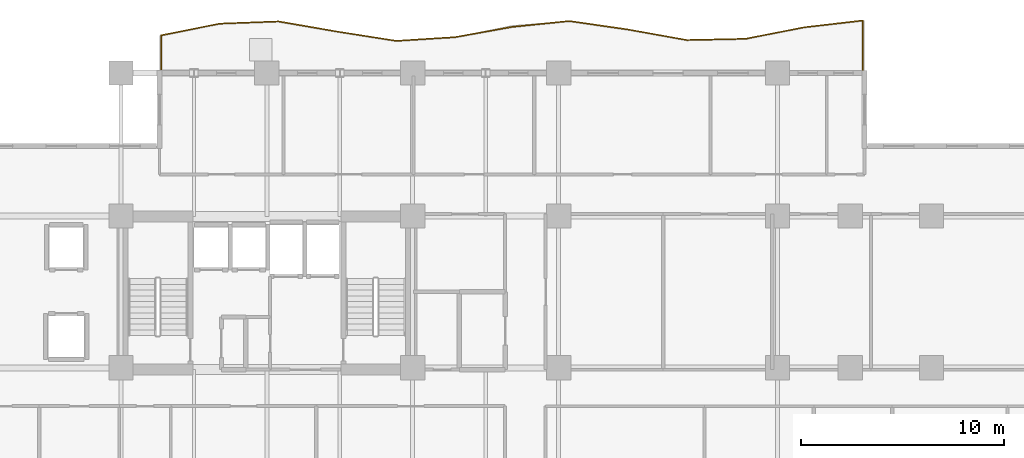
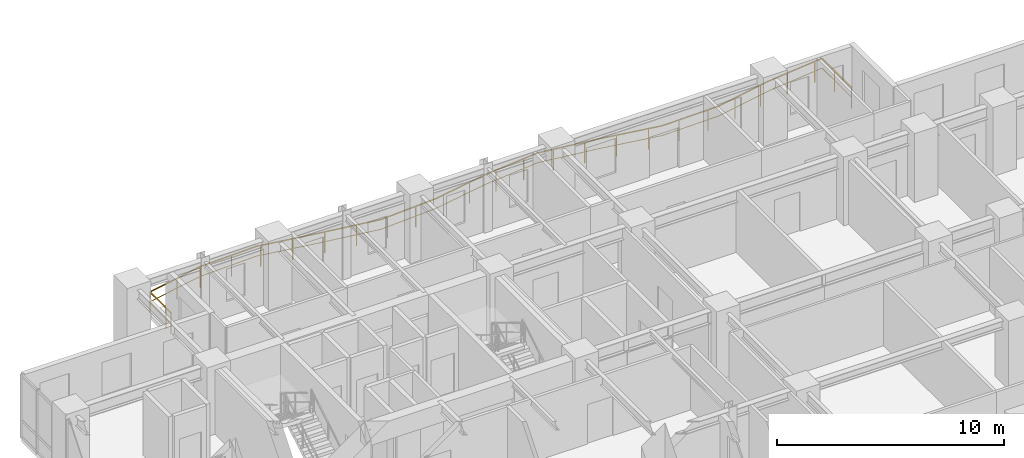
# One storey, part 17 of 17: 1 railing.
"""IFC4 building model written with IfcOpenShell, lengths in metres."""

from ifc_helpers import new_model, si_unit, direction, frame, origin, origin_2d, place, context, subcontext, project, spatial, rectangle, extrude, material, type_object, element, save


model = new_model("IFC4")

# Units and contexts
model_context = context("Model", 3, precision=1e-05, world=origin(), true_north=direction((0.0, 1.0)))
body_context = subcontext(model_context, "Body", "Model", "MODEL_VIEW")
ifc_project = project(units=[si_unit("LENGTHUNIT", "METRE"), si_unit("AREAUNIT", "SQUARE_METRE"), si_unit("VOLUMEUNIT", "CUBIC_METRE"), si_unit("PLANEANGLEUNIT", "RADIAN"), si_unit("MASSUNIT", "GRAM", prefix="KILO")], contexts=[model_context])

# Site, building, storey
site_placement = place(None, origin())
site = spatial("IfcSite", under=ifc_project, at=site_placement, CompositionType="ELEMENT")
building_placement = place(site_placement, origin())
building = spatial("IfcBuilding", under=site, at=building_placement, Name="Kaliganga Portal Commons", CompositionType="ELEMENT")
storey_placement = place(building_placement, frame((0.0, 0.0, 108.199951171875)))
storey = spatial("IfcBuildingStorey", under=building, at=storey_placement, Name="L27", CompositionType="ELEMENT", Elevation=108.199951171875)

# Railing
ifc_material = material(Name="Laminated Safety Glass and Stainless Steel 316", Category="steel")
railing_type = type_object("IfcRailingType", Name="RLG-BAL-1150", PredefinedType="BALUSTRADE", material=ifc_material)
railing_placement = place(storey_placement, frame((51.0205078125, 43.20849609375, 0.0)))
element("IfcRailing", 1, at=railing_placement, inside=storey, type_object=railing_type, Name="Balcony Guardrail L27 balc_north", PredefinedType="BALUSTRADE", context=body_context, shape_type="SweptSolid", body=[
    extrude(rectangle(XDim=0.048095703125, YDim=0.048095703125, at=origin_2d()), frame((0.0, 0.0, 1.1259765625), z_axis=(-0.000188679242, 0.9999999822, 0.0), x_axis=(-0.9999999822, -0.000188679242, 0.0)), (0.0, 0.0, 1.0), 2.587890625),
    extrude(rectangle(XDim=0.028076171875, YDim=0.028076171875, at=origin_2d()), frame((0.0, 0.0, 0.597900390625), z_axis=(-0.000188679242, 0.9999999822, 0.0), x_axis=(-0.9999999822, -0.000188679242, 0.0)), (0.0, 0.0, 1.0), 2.587890625),
    extrude(rectangle(XDim=0.048095703125, YDim=0.048095703125, at=origin_2d()), frame((-0.00048828125, 2.587890625, 1.1259765625), z_axis=(-0.993356824313, -0.115074843429, 0.0), x_axis=(0.115074843429, -0.993356824313, 0.0)), (0.0, 0.0, 1.0), 2.919189453125),
    extrude(rectangle(XDim=0.028076171875, YDim=0.028076171875, at=origin_2d()), frame((-0.00048828125, 2.587890625, 0.597900390625), z_axis=(-0.993356824313, -0.115074843429, 0.0), x_axis=(0.115074843429, -0.993356824313, 0.0)), (0.0, 0.0, 1.0), 2.919189453125),
    extrude(rectangle(XDim=0.048095703125, YDim=0.048095703125, at=origin_2d()), frame((-2.900390625, 2.251953125, 1.1259765625), z_axis=(-0.981301513989, -0.192476852226, 0.0), x_axis=(0.192476852226, -0.981301513989, 0.0)), (0.0, 0.0, 1.0), 2.955322265625),
    extrude(rectangle(XDim=0.028076171875, YDim=0.028076171875, at=origin_2d()), frame((-2.900390625, 2.251953125, 0.597900390625), z_axis=(-0.981301513989, -0.192476852226, 0.0), x_axis=(0.192476852226, -0.981301513989, 0.0)), (0.0, 0.0, 1.0), 2.955322265625),
    extrude(rectangle(XDim=0.048095703125, YDim=0.048095703125, at=origin_2d()), frame((-5.800537109375, 1.68310546875, 1.1259765625), z_axis=(-0.999778578842, -0.021042654042, 0.0), x_axis=(0.021042654042, -0.999778578842, 0.0)), (0.0, 0.0, 1.0), 2.900634765625),
    extrude(rectangle(XDim=0.028076171875, YDim=0.028076171875, at=origin_2d()), frame((-5.800537109375, 1.68310546875, 0.597900390625), z_axis=(-0.999778578842, -0.021042654042, 0.0), x_axis=(0.021042654042, -0.999778578842, 0.0)), (0.0, 0.0, 1.0), 2.900634765625),
    extrude(rectangle(XDim=0.048095703125, YDim=0.048095703125, at=origin_2d()), frame((-8.700439453125, 1.6220703125, 1.1259765625), z_axis=(-0.98412606857, 0.177470789601, 0.0), x_axis=(-0.177470789601, -0.98412606857, 0.0)), (0.0, 0.0, 1.0), 2.94677734375),
    extrude(rectangle(XDim=0.028076171875, YDim=0.028076171875, at=origin_2d()), frame((-8.700439453125, 1.6220703125, 0.597900390625), z_axis=(-0.98412606857, 0.177470789601, 0.0), x_axis=(-0.177470789601, -0.98412606857, 0.0)), (0.0, 0.0, 1.0), 2.94677734375),
    extrude(rectangle(XDim=0.048095703125, YDim=0.048095703125, at=origin_2d()), frame((-11.600341796875, 2.14501953125, 1.1259765625), z_axis=(-0.989896041483, 0.141795017739, 0.0), x_axis=(-0.141795017739, -0.989896041483, 0.0)), (0.0, 0.0, 1.0), 2.927001953125),
    extrude(rectangle(XDim=0.028076171875, YDim=0.028076171875, at=origin_2d()), frame((-11.600341796875, 2.14501953125, 0.597900390625), z_axis=(-0.989896041483, 0.141795017739, 0.0), x_axis=(-0.141795017739, -0.989896041483, 0.0)), (0.0, 0.0, 1.0), 2.927001953125),
    extrude(rectangle(XDim=0.048095703125, YDim=0.048095703125, at=origin_2d()), frame((-14.497802734375, 2.56005859375, 1.1259765625), z_axis=(-0.994806264144, -0.101786525729, 0.0), x_axis=(0.101786525729, -0.994806264144, 0.0)), (0.0, 0.0, 1.0), 2.83740234375),
    extrude(rectangle(XDim=0.028076171875, YDim=0.028076171875, at=origin_2d()), frame((-14.497802734375, 2.56005859375, 0.597900390625), z_axis=(-0.994806264144, -0.101786525729, 0.0), x_axis=(0.101786525729, -0.994806264144, 0.0)), (0.0, 0.0, 1.0), 2.83740234375),
    extrude(rectangle(XDim=0.048095703125, YDim=0.048095703125, at=origin_2d()), frame((-17.320556640625, 2.271240234375, 1.1259765625), z_axis=(-0.98412652958, -0.17746823315, 0.0), x_axis=(0.17746823315, -0.98412652958, 0.0)), (0.0, 0.0, 1.0), 2.865478515625),
    extrude(rectangle(XDim=0.028076171875, YDim=0.028076171875, at=origin_2d()), frame((-17.320556640625, 2.271240234375, 0.597900390625), z_axis=(-0.98412652958, -0.17746823315, 0.0), x_axis=(0.17746823315, -0.98412652958, 0.0)), (0.0, 0.0, 1.0), 2.865478515625),
    extrude(rectangle(XDim=0.048095703125, YDim=0.048095703125, at=origin_2d()), frame((-20.140625, 1.7626953125, 1.1259765625), z_axis=(-0.998059764727, -0.062263199669, 0.0), x_axis=(0.062263199669, -0.998059764727, 0.0)), (0.0, 0.0, 1.0), 2.905517578125),
    extrude(rectangle(XDim=0.028076171875, YDim=0.028076171875, at=origin_2d()), frame((-20.140625, 1.7626953125, 0.597900390625), z_axis=(-0.998059764727, -0.062263199669, 0.0), x_axis=(0.062263199669, -0.998059764727, 0.0)), (0.0, 0.0, 1.0), 2.905517578125),
    extrude(rectangle(XDim=0.048095703125, YDim=0.048095703125, at=origin_2d()), frame((-23.04052734375, 1.581787109375, 1.1259765625), z_axis=(-0.9877818378, 0.155843000845, 0.0), x_axis=(-0.155843000845, -0.9877818378, 0.0)), (0.0, 0.0, 1.0), 2.935791015625),
    extrude(rectangle(XDim=0.028076171875, YDim=0.028076171875, at=origin_2d()), frame((-23.04052734375, 1.581787109375, 0.597900390625), z_axis=(-0.9877818378, 0.155843000845, 0.0), x_axis=(-0.155843000845, -0.9877818378, 0.0)), (0.0, 0.0, 1.0), 2.935791015625),
    extrude(rectangle(XDim=0.048095703125, YDim=0.048095703125, at=origin_2d()), frame((-25.9404296875, 2.039306640625, 1.1259765625), z_axis=(-0.985324763946, 0.170690097997, 0.0), x_axis=(-0.170690097997, -0.985324763946, 0.0)), (0.0, 0.0, 1.0), 2.943603515625),
    extrude(rectangle(XDim=0.028076171875, YDim=0.028076171875, at=origin_2d()), frame((-25.9404296875, 2.039306640625, 0.597900390625), z_axis=(-0.985324763946, 0.170690097997, 0.0), x_axis=(-0.170690097997, -0.985324763946, 0.0)), (0.0, 0.0, 1.0), 2.943603515625),
    extrude(rectangle(XDim=0.048095703125, YDim=0.048095703125, at=origin_2d()), frame((-28.8408203125, 2.541748046875, 1.1259765625), z_axis=(-0.999292645016, -0.037605978475, 0.0), x_axis=(0.037605978475, -0.999292645016, 0.0)), (0.0, 0.0, 1.0), 2.90185546875),
    extrude(rectangle(XDim=0.028076171875, YDim=0.028076171875, at=origin_2d()), frame((-28.8408203125, 2.541748046875, 0.597900390625), z_axis=(-0.999292645016, -0.037605978475, 0.0), x_axis=(0.037605978475, -0.999292645016, 0.0)), (0.0, 0.0, 1.0), 2.90185546875),
    extrude(rectangle(XDim=0.048095703125, YDim=0.048095703125, at=origin_2d()), frame((-31.74072265625, 2.4326171875, 1.1259765625), z_axis=(-0.980621932886, -0.195909736213, 0.0), x_axis=(0.195909736213, -0.980621932886, 0.0)), (0.0, 0.0, 1.0), 2.957275390625),
    extrude(rectangle(XDim=0.028076171875, YDim=0.028076171875, at=origin_2d()), frame((-31.74072265625, 2.4326171875, 0.597900390625), z_axis=(-0.980621932886, -0.195909736213, 0.0), x_axis=(0.195909736213, -0.980621932886, 0.0)), (0.0, 0.0, 1.0), 2.957275390625),
    extrude(rectangle(XDim=0.048095703125, YDim=0.048095703125, at=origin_2d()), frame((-34.640625, 1.853271484375, 1.1259765625), z_axis=(-0.000131734948, -0.999999991323, 0.0), x_axis=(0.999999991323, -0.000131734948, 0.0)), (0.0, 0.0, 1.0), 1.853271484375),
    extrude(rectangle(XDim=0.028076171875, YDim=0.028076171875, at=origin_2d()), frame((-34.640625, 1.853271484375, 0.597900390625), z_axis=(-0.000131734948, -0.999999991323, 0.0), x_axis=(0.999999991323, -0.000131734948, 0.0)), (0.0, 0.0, 1.0), 1.853271484375),
    extrude(rectangle(XDim=0.0419921875, YDim=0.0419921875, at=origin_2d()), origin(), (0.0, 0.0, 1.0), 1.101806640625),
    extrude(rectangle(XDim=0.0419921875, YDim=0.0419921875, at=origin_2d()), frame((-0.000244140625, 1.5, 0.0)), (0.0, 0.0, 1.0), 1.101806640625),
    extrude(rectangle(XDim=0.0419921875, YDim=0.0419921875, at=origin_2d()), frame((-0.409912109375, 2.54052734375, 0.0)), (0.0, 0.0, 1.0), 1.101806640625),
    extrude(rectangle(XDim=0.0419921875, YDim=0.0419921875, at=origin_2d()), frame((-1.89990234375, 2.367919921875, 0.0)), (0.0, 0.0, 1.0), 1.101806640625),
    extrude(rectangle(XDim=0.0419921875, YDim=0.0419921875, at=origin_2d()), frame((-3.384033203125, 2.156982421875, 0.0)), (0.0, 0.0, 1.0), 1.101806640625),
    extrude(rectangle(XDim=0.0419921875, YDim=0.0419921875, at=origin_2d()), frame((-4.85595703125, 1.868408203125, 0.0)), (0.0, 0.0, 1.0), 1.101806640625),
    extrude(rectangle(XDim=0.0419921875, YDim=0.0419921875, at=origin_2d()), frame((-6.337890625, 1.671875, 0.0)), (0.0, 0.0, 1.0), 1.101806640625),
    extrude(rectangle(XDim=0.0419921875, YDim=0.0419921875, at=origin_2d()), frame((-7.83740234375, 1.64013671875, 0.0)), (0.0, 0.0, 1.0), 1.101806640625),
    extrude(rectangle(XDim=0.0419921875, YDim=0.0419921875, at=origin_2d()), frame((-9.3271484375, 1.735107421875, 0.0)), (0.0, 0.0, 1.0), 1.101806640625),
    extrude(rectangle(XDim=0.0419921875, YDim=0.0419921875, at=origin_2d()), frame((-10.803466796875, 2.001220703125, 0.0)), (0.0, 0.0, 1.0), 1.101806640625),
    extrude(rectangle(XDim=0.0419921875, YDim=0.0419921875, at=origin_2d()), frame((-12.283447265625, 2.242919921875, 0.0)), (0.0, 0.0, 1.0), 1.101806640625),
    extrude(rectangle(XDim=0.0419921875, YDim=0.0419921875, at=origin_2d()), frame((-13.768310546875, 2.45556640625, 0.0)), (0.0, 0.0, 1.0), 1.101806640625),
    extrude(rectangle(XDim=0.0419921875, YDim=0.0419921875, at=origin_2d()), frame((-15.257080078125, 2.482421875, 0.0)), (0.0, 0.0, 1.0), 1.101806640625),
    extrude(rectangle(XDim=0.0419921875, YDim=0.0419921875, at=origin_2d()), frame((-16.749267578125, 2.32958984375, 0.0)), (0.0, 0.0, 1.0), 1.101806640625),
    extrude(rectangle(XDim=0.0419921875, YDim=0.0419921875, at=origin_2d()), frame((-18.2314453125, 2.10693359375, 0.0)), (0.0, 0.0, 1.0), 1.101806640625),
    extrude(rectangle(XDim=0.0419921875, YDim=0.0419921875, at=origin_2d()), frame((-19.707763671875, 1.8408203125, 0.0)), (0.0, 0.0, 1.0), 1.101806640625),
    extrude(rectangle(XDim=0.0419921875, YDim=0.0419921875, at=origin_2d()), frame((-21.19873046875, 1.69677734375, 0.0)), (0.0, 0.0, 1.0), 1.101806640625),
    extrude(rectangle(XDim=0.0419921875, YDim=0.0419921875, at=origin_2d()), frame((-22.69580078125, 1.603271484375, 0.0)), (0.0, 0.0, 1.0), 1.101806640625),
    extrude(rectangle(XDim=0.0419921875, YDim=0.0419921875, at=origin_2d()), frame((-24.180908203125, 1.76171875, 0.0)), (0.0, 0.0, 1.0), 1.101806640625),
    extrude(rectangle(XDim=0.0419921875, YDim=0.0419921875, at=origin_2d()), frame((-25.66259765625, 1.995361328125, 0.0)), (0.0, 0.0, 1.0), 1.101806640625),
    extrude(rectangle(XDim=0.0419921875, YDim=0.0419921875, at=origin_2d()), frame((-27.141357421875, 2.247314453125, 0.0)), (0.0, 0.0, 1.0), 1.101806640625),
    extrude(rectangle(XDim=0.0419921875, YDim=0.0419921875, at=origin_2d()), frame((-28.619384765625, 2.50341796875, 0.0)), (0.0, 0.0, 1.0), 1.101806640625),
    extrude(rectangle(XDim=0.0419921875, YDim=0.0419921875, at=origin_2d()), frame((-30.115234375, 2.493896484375, 0.0)), (0.0, 0.0, 1.0), 1.101806640625),
    extrude(rectangle(XDim=0.0419921875, YDim=0.0419921875, at=origin_2d()), frame((-31.74072265625, 2.4326171875, 0.0)), (0.0, 0.0, 1.0), 1.101806640625),
    extrude(rectangle(XDim=0.0419921875, YDim=0.0419921875, at=origin_2d()), frame((-33.08740234375, 2.16357421875, 0.0)), (0.0, 0.0, 1.0), 1.101806640625),
    extrude(rectangle(XDim=0.0419921875, YDim=0.0419921875, at=origin_2d()), frame((-34.640625, 1.853271484375, 0.0)), (0.0, 0.0, 1.0), 1.101806640625),
    extrude(rectangle(XDim=0.0419921875, YDim=0.0419921875, at=origin_2d()), frame((-34.640869140625, 0.437255859375, 0.0)), (0.0, 0.0, 1.0), 1.101806640625),
    extrude(rectangle(XDim=0.0419921875, YDim=0.0419921875, at=origin_2d()), frame((-34.640869140625, 0.0, 0.0)), (0.0, 0.0, 1.0), 1.101806640625),
])

save(model, "model.ifc")
